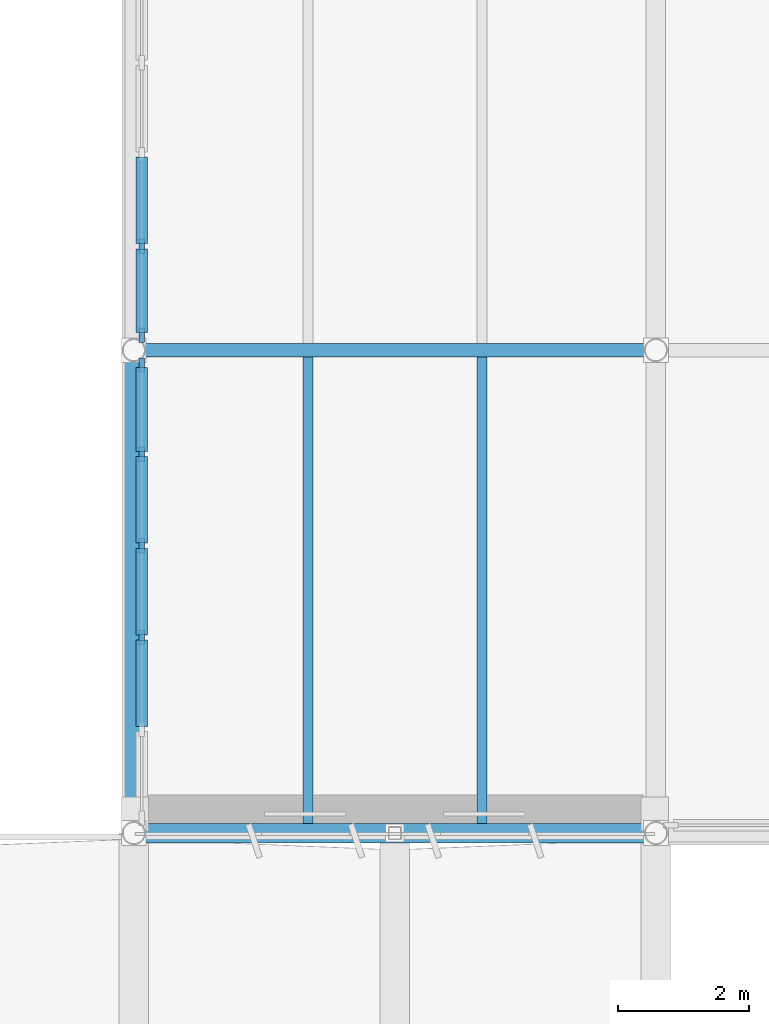
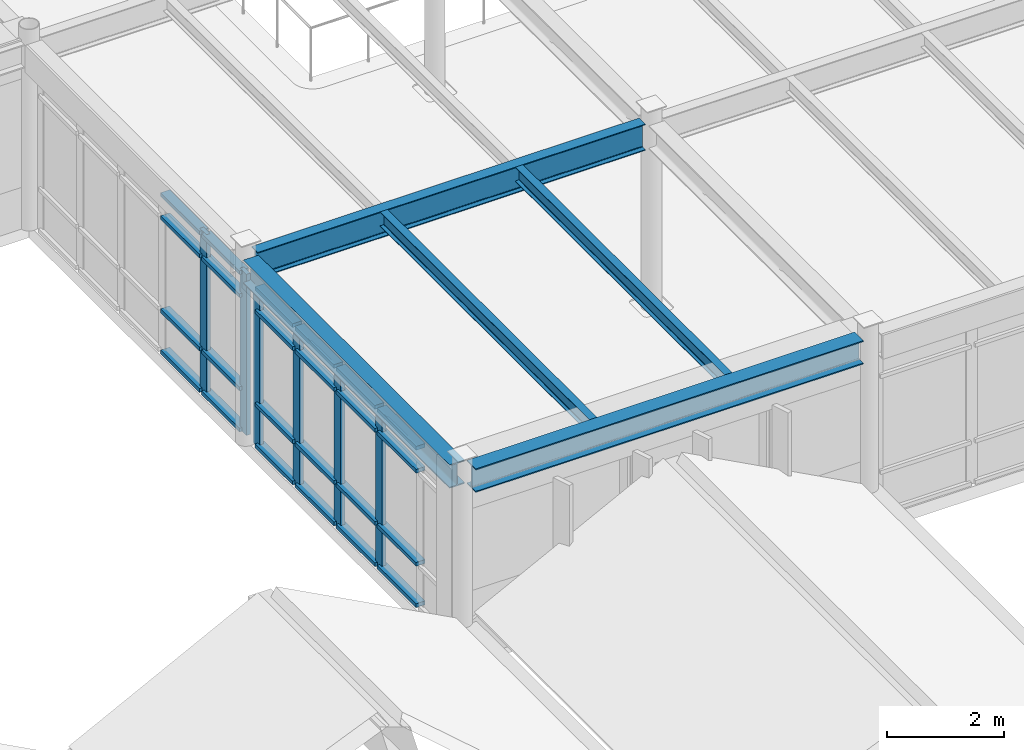
# One storey, part 15 of 63: 30 members, 5 beams, 2 elements without a shape of their own.
"""IFC4 building model written with IfcOpenShell, lengths in metres."""

from ifc_helpers import new_model, si_unit, direction, frame, origin, origin_2d, place, context, subcontext, project, spatial, rectangle, i_section, extrude, material, layer, layer_set, material_profile, profile_set, type_object, element, aggregate, save


model = new_model("IFC4")

# Units and contexts
model_context = context("Model", 3, precision=1e-05, world=origin(), true_north=direction((0.0, 1.0)))
body_context = subcontext(model_context, "Body", "Model", "MODEL_VIEW")
ifc_project = project(units=[si_unit("LENGTHUNIT", "METRE"), si_unit("AREAUNIT", "SQUARE_METRE"), si_unit("VOLUMEUNIT", "CUBIC_METRE"), si_unit("PLANEANGLEUNIT", "RADIAN"), si_unit("MASSUNIT", "GRAM", prefix="KILO")], contexts=[model_context])

# Site, building, storey
site_placement = place(None, origin())
site = spatial("IfcSite", under=ifc_project, at=site_placement, CompositionType="ELEMENT")
building_placement = place(site_placement, origin())
building = spatial("IfcBuilding", under=site, at=building_placement, Name="Valkorina Park Police Headquarters", CompositionType="ELEMENT")
storey_placement = place(building_placement, frame((0.0, 0.0, 9.89990234375)))
storey = spatial("IfcBuildingStorey", under=building, at=storey_placement, Name="L03", CompositionType="ELEMENT", Elevation=9.89990234375)

# Beams
ifc_material_1 = material(Name="Steel S355", Category="steel")
ifc_material_profile_1 = material_profile(ifc_material_1, i_section(OverallWidth=0.300048828125, OverallDepth=0.489990234375, WebThickness=0.011962890625, FlangeThickness=0.02294921875, FilletRadius=0.027099609375, at=origin_2d()), Name="HEA 500")
ifc_profile_set_1 = profile_set([ifc_material_profile_1], Name="Steel S355")
beam_type_1 = type_object("IfcBeamType", Name="BM-S355-HEA500-SPN", PredefinedType="SPANDREL", material=ifc_profile_set_1)
beam_1_placement = place(storey_placement, frame((56.977783203125, 22.199951171875, 3.675048828125), z_axis=(1.0, 0.0, 0.0), x_axis=(0.0, 1.0, 0.0)))
element("IfcBeam", 1, at=beam_1_placement, inside=storey, type_object=beam_type_1, Name="L03 Framing Beam 1843", PredefinedType="SPANDREL", context=body_context, shape_type="SweptSolid", body=[
    extrude(i_section(OverallWidth=0.300048828125, OverallDepth=0.489990234375, WebThickness=0.011962890625, FlangeThickness=0.02294921875, FilletRadius=0.027099609375, at=origin_2d()), origin(), (0.0, 0.0, 1.0), 7.64453125),
])
beam_2_placement = place(storey_placement, frame((56.800048828125, 22.377685546875, 3.675048828125), z_axis=(0.0, 1.0, 0.0), x_axis=(-1.0, 0.0, 0.0)))
element("IfcBeam", 2, at=beam_2_placement, inside=storey, type_object=beam_type_1, Name="L03 Framing Beam 1993", PredefinedType="SPANDREL", context=body_context, shape_type="SweptSolid", body=[
    extrude(i_section(OverallWidth=0.300048828125, OverallDepth=0.489990234375, WebThickness=0.011962890625, FlangeThickness=0.02294921875, FilletRadius=0.027099609375, at=origin_2d()), origin(), (0.0, 0.0, 1.0), 7.04443359375),
])
ifc_material_profile_2 = material_profile(ifc_material_1, i_section(OverallWidth=0.14990234375, OverallDepth=0.300048828125, WebThickness=0.007080078125, FlangeThickness=0.0107421875, FilletRadius=0.014892578125, at=origin_2d()), Name="IPE 300")
ifc_profile_set_2 = profile_set([ifc_material_profile_2], Name="Steel S355")
beam_type_2 = type_object("IfcBeamType", Name="BM-S355-IPE300-JST", PredefinedType="JOIST", material=ifc_profile_set_2)
for number, where, z_axis, x_axis, name in (
    (3, (59.466796875, 22.35009765625, 3.77001953125), (0.0, 1.0, 0.0), (-1.0, 0.0, 0.0), "L03 Framing Beam 1994"),
    (4, (62.13330078125, 22.35009765625, 3.77001953125), (0.0, 1.0, 0.0), (-1.0, 0.0, 0.0), "L03 Framing Beam 1995"),
):
    element("IfcBeam", number, at=place(storey_placement, frame(where, z_axis=z_axis, x_axis=x_axis)), inside=storey, type_object=beam_type_2, Name=name, PredefinedType="JOIST", context=body_context, shape_type="SweptSolid", body=[
        extrude(i_section(OverallWidth=0.14990234375, OverallDepth=0.300048828125, WebThickness=0.007080078125, FlangeThickness=0.0107421875, FilletRadius=0.014892578125, at=origin_2d()), origin(), (0.0, 0.0, 1.0), 7.14501953125),
    ])
ifc_material_profile_3 = material_profile(ifc_material_1, i_section(OverallWidth=0.2099609375, OverallDepth=0.550048828125, WebThickness=0.010986328125, FlangeThickness=0.01708984375, FilletRadius=0.02392578125, at=origin_2d()), Name="IPE 550")
ifc_profile_set_3 = profile_set([ifc_material_profile_3], Name="Steel S355")
beam_type_3 = type_object("IfcBeamType", Name="BM-S355-IPE550-BM", PredefinedType="BEAM", material=ifc_profile_set_3)
beam_3_placement = place(storey_placement, frame((56.977783203125, 29.60009765625, 3.64501953125), z_axis=(1.0, 0.0, 0.0), x_axis=(0.0, 1.0, 0.0)))
element("IfcBeam", 5, at=beam_3_placement, inside=storey, type_object=beam_type_3, Name="L03 Framing Beam 1846", PredefinedType="BEAM", context=body_context, shape_type="SweptSolid", body=[
    extrude(i_section(OverallWidth=0.2099609375, OverallDepth=0.550048828125, WebThickness=0.010986328125, FlangeThickness=0.01708984375, FilletRadius=0.02392578125, at=origin_2d()), origin(), (0.0, 0.0, 1.0), 7.64453125),
])

# Curtain wall, members
ifc_material_2 = material(Name="Thermally broken aluminium AW-6060", Category="aluminium")
ifc_layer = layer(ifc_material_2, 0.18994140625)
ifc_layer_set = layer_set([ifc_layer], Name="Thermally broken aluminium AW-6060")
curtain_wall_type = type_object("IfcCurtainWallType", Name="CW-V4-7020x3360", PredefinedType="NOTDEFINED", material=ifc_layer_set)
curtain_wall_1_placement = place(storey_placement, origin())
curtain_wall_1 = element("IfcCurtainWall", 6, at=curtain_wall_1_placement, inside=storey, type_object=curtain_wall_type, Name="L03 Unitised Curtain Wall 028", PredefinedType="NOTDEFINED")
ifc_material_profile_4 = material_profile(ifc_material_2, rectangle(XDim=0.080078125, YDim=0.219970703125, at=origin_2d()), Name="CWM-03 80x220")
ifc_profile_set_4 = profile_set([ifc_material_profile_4], Name="Thermally broken aluminium AW-6060")
member_type_1 = type_object("IfcMemberType", Name="CWM-80x220", PredefinedType="MULLION", material=ifc_profile_set_4)
member_1_placement = place(storey_placement, frame((56.919921875, 25.197509765625, 0.0), z_axis=(0.0, 0.0, 1.0), x_axis=(-1.0, 0.0, 0.0)))
member_1 = element("IfcMember", 7, at=member_1_placement, type_object=member_type_1, Name="CW-V4-702-336 mullion 3", PredefinedType="MULLION", context=body_context, shape_type="SweptSolid", body=[
    extrude(rectangle(XDim=0.080078125, YDim=0.219970703125, at=origin_2d()), origin(), (0.0, 0.0, 1.0), 3.360107421875),
])
member_2_placement = place(storey_placement, frame((56.919921875, 26.6025390625, 0.0), z_axis=(0.0, 0.0, 1.0), x_axis=(-1.0, 0.0, 0.0)))
member_2 = element("IfcMember", 8, at=member_2_placement, type_object=member_type_1, Name="CW-V4-702-336 mullion 4", PredefinedType="MULLION", context=body_context, shape_type="SweptSolid", body=[
    extrude(rectangle(XDim=0.080078125, YDim=0.219970703125, at=origin_2d()), origin(), (0.0, 0.0, 1.0), 3.360107421875),
])
member_3_placement = place(storey_placement, frame((56.919921875, 28.00732421875, 0.0), z_axis=(0.0, 0.0, 1.0), x_axis=(-1.0, 0.0, 0.0)))
member_3 = element("IfcMember", 9, at=member_3_placement, type_object=member_type_1, Name="CW-V4-702-336 mullion 5", PredefinedType="MULLION", context=body_context, shape_type="SweptSolid", body=[
    extrude(rectangle(XDim=0.080078125, YDim=0.219970703125, at=origin_2d()), origin(), (0.0, 0.0, 1.0), 3.360107421875),
])
member_4_placement = place(storey_placement, frame((56.919921875, 29.372314453125, 0.0), z_axis=(0.0, 0.0, 1.0), x_axis=(-1.0, 0.0, 0.0)))
member_4 = element("IfcMember", 10, at=member_4_placement, type_object=member_type_1, Name="CW-V4-702-336 mullion 6", PredefinedType="MULLION", context=body_context, shape_type="SweptSolid", body=[
    extrude(rectangle(XDim=0.080078125, YDim=0.219970703125, at=origin_2d()), origin(), (0.0, 0.0, 1.0), 3.360107421875),
])

curtain_wall_2_placement = place(storey_placement, origin())
curtain_wall_2 = element("IfcCurtainWall", 11, at=curtain_wall_2_placement, inside=storey, type_object=curtain_wall_type, Name="L03 Unitised Curtain Wall 029", PredefinedType="NOTDEFINED")
member_5_placement = place(storey_placement, frame((56.919921875, 29.827880859375, 0.0), z_axis=(0.0, 0.0, 1.0), x_axis=(-1.0, 0.0, 0.0)))
member_5 = element("IfcMember", 12, at=member_5_placement, type_object=member_type_1, Name="CW-V4-702-336 mullion 1", PredefinedType="MULLION", context=body_context, shape_type="SweptSolid", body=[
    extrude(rectangle(XDim=0.080078125, YDim=0.219970703125, at=origin_2d()), origin(), (0.0, 0.0, 1.0), 3.360107421875),
])
member_6_placement = place(storey_placement, frame((56.919921875, 31.192626953125, 0.0), z_axis=(0.0, 0.0, 1.0), x_axis=(-1.0, 0.0, 0.0)))
member_6 = element("IfcMember", 13, at=member_6_placement, type_object=member_type_1, Name="CW-V4-702-336 mullion 2", PredefinedType="MULLION", context=body_context, shape_type="SweptSolid", body=[
    extrude(rectangle(XDim=0.080078125, YDim=0.219970703125, at=origin_2d()), origin(), (0.0, 0.0, 1.0), 3.360107421875),
])

# Member
ifc_material_profile_5 = material_profile(ifc_material_2, rectangle(XDim=0.179931640625, YDim=0.080078125, at=origin_2d()), Name="CWT-03 180x80")
ifc_profile_set_5 = profile_set([ifc_material_profile_5], Name="Thermally broken aluminium AW-6060")
member_type_2 = type_object("IfcMemberType", Name="CWT-180x80", PredefinedType="USERDEFINED", material=ifc_profile_set_5)
member_7_placement = place(storey_placement, frame((56.919921875, 23.832763671875, 0.0400390625), z_axis=(0.0, 1.0, 0.0), x_axis=(-1.0, 0.0, 0.0)))
member_7 = element("IfcMember", 14, at=member_7_placement, type_object=member_type_2, Name="CW-V4-702-336 transom 2.1", ObjectType="TRANSOM", PredefinedType="USERDEFINED", context=body_context, shape_type="SweptSolid", body=[
    extrude(rectangle(XDim=0.179931640625, YDim=0.080078125, at=origin_2d()), origin(), (0.0, 0.0, 1.0), 1.32470703125),
])

member_8_placement = place(storey_placement, frame((56.919921875, 23.832763671875, 0.900146484375), z_axis=(0.0, 1.0, 0.0), x_axis=(-1.0, 0.0, 0.0)))
member_8 = element("IfcMember", 15, at=member_8_placement, type_object=member_type_2, Name="CW-V4-702-336 transom 2.2", ObjectType="TRANSOM", PredefinedType="USERDEFINED", context=body_context, shape_type="SweptSolid", body=[
    extrude(rectangle(XDim=0.179931640625, YDim=0.080078125, at=origin_2d()), origin(), (0.0, 0.0, 1.0), 1.32470703125),
])

member_9_placement = place(storey_placement, frame((56.919921875, 23.832763671875, 2.840087890625), z_axis=(0.0, 1.0, 0.0), x_axis=(-1.0, 0.0, 0.0)))
member_9 = element("IfcMember", 16, at=member_9_placement, type_object=member_type_2, Name="CW-V4-702-336 transom 2.3", ObjectType="TRANSOM", PredefinedType="USERDEFINED", context=body_context, shape_type="SweptSolid", body=[
    extrude(rectangle(XDim=0.179931640625, YDim=0.080078125, at=origin_2d()), origin(), (0.0, 0.0, 1.0), 1.32470703125),
])

member_10_placement = place(storey_placement, frame((56.919921875, 23.832763671875, 3.320068359375), z_axis=(0.0, 1.0, 0.0), x_axis=(-1.0, 0.0, 0.0)))
member_10 = element("IfcMember", 17, at=member_10_placement, type_object=member_type_2, Name="CW-V4-702-336 transom 2.4", ObjectType="TRANSOM", PredefinedType="USERDEFINED", context=body_context, shape_type="SweptSolid", body=[
    extrude(rectangle(XDim=0.179931640625, YDim=0.080078125, at=origin_2d()), origin(), (0.0, 0.0, 1.0), 1.32470703125),
])

member_11_placement = place(storey_placement, frame((56.919921875, 25.237548828125, 0.0400390625), z_axis=(0.0, 1.0, 0.0), x_axis=(-1.0, 0.0, 0.0)))
member_11 = element("IfcMember", 18, at=member_11_placement, type_object=member_type_2, Name="CW-V4-702-336 transom 3.1", ObjectType="TRANSOM", PredefinedType="USERDEFINED", context=body_context, shape_type="SweptSolid", body=[
    extrude(rectangle(XDim=0.179931640625, YDim=0.080078125, at=origin_2d()), origin(), (0.0, 0.0, 1.0), 1.324951171875),
])

member_12_placement = place(storey_placement, frame((56.919921875, 25.237548828125, 0.900146484375), z_axis=(0.0, 1.0, 0.0), x_axis=(-1.0, 0.0, 0.0)))
member_12 = element("IfcMember", 19, at=member_12_placement, type_object=member_type_2, Name="CW-V4-702-336 transom 3.2", ObjectType="TRANSOM", PredefinedType="USERDEFINED", context=body_context, shape_type="SweptSolid", body=[
    extrude(rectangle(XDim=0.179931640625, YDim=0.080078125, at=origin_2d()), origin(), (0.0, 0.0, 1.0), 1.324951171875),
])

member_13_placement = place(storey_placement, frame((56.919921875, 25.237548828125, 2.840087890625), z_axis=(0.0, 1.0, 0.0), x_axis=(-1.0, 0.0, 0.0)))
member_13 = element("IfcMember", 20, at=member_13_placement, type_object=member_type_2, Name="CW-V4-702-336 transom 3.3", ObjectType="TRANSOM", PredefinedType="USERDEFINED", context=body_context, shape_type="SweptSolid", body=[
    extrude(rectangle(XDim=0.179931640625, YDim=0.080078125, at=origin_2d()), origin(), (0.0, 0.0, 1.0), 1.324951171875),
])

member_14_placement = place(storey_placement, frame((56.919921875, 25.237548828125, 3.320068359375), z_axis=(0.0, 1.0, 0.0), x_axis=(-1.0, 0.0, 0.0)))
member_14 = element("IfcMember", 21, at=member_14_placement, type_object=member_type_2, Name="CW-V4-702-336 transom 3.4", ObjectType="TRANSOM", PredefinedType="USERDEFINED", context=body_context, shape_type="SweptSolid", body=[
    extrude(rectangle(XDim=0.179931640625, YDim=0.080078125, at=origin_2d()), origin(), (0.0, 0.0, 1.0), 1.324951171875),
])

member_15_placement = place(storey_placement, frame((56.919921875, 26.642333984375, 0.0400390625), z_axis=(0.0, 1.0, 0.0), x_axis=(-1.0, 0.0, 0.0)))
member_15 = element("IfcMember", 22, at=member_15_placement, type_object=member_type_2, Name="CW-V4-702-336 transom 4.1", ObjectType="TRANSOM", PredefinedType="USERDEFINED", context=body_context, shape_type="SweptSolid", body=[
    extrude(rectangle(XDim=0.179931640625, YDim=0.080078125, at=origin_2d()), origin(), (0.0, 0.0, 1.0), 1.324951171875),
])

member_16_placement = place(storey_placement, frame((56.919921875, 26.642333984375, 0.900146484375), z_axis=(0.0, 1.0, 0.0), x_axis=(-1.0, 0.0, 0.0)))
member_16 = element("IfcMember", 23, at=member_16_placement, type_object=member_type_2, Name="CW-V4-702-336 transom 4.2", ObjectType="TRANSOM", PredefinedType="USERDEFINED", context=body_context, shape_type="SweptSolid", body=[
    extrude(rectangle(XDim=0.179931640625, YDim=0.080078125, at=origin_2d()), origin(), (0.0, 0.0, 1.0), 1.324951171875),
])

member_17_placement = place(storey_placement, frame((56.919921875, 26.642333984375, 2.840087890625), z_axis=(0.0, 1.0, 0.0), x_axis=(-1.0, 0.0, 0.0)))
member_17 = element("IfcMember", 24, at=member_17_placement, type_object=member_type_2, Name="CW-V4-702-336 transom 4.3", ObjectType="TRANSOM", PredefinedType="USERDEFINED", context=body_context, shape_type="SweptSolid", body=[
    extrude(rectangle(XDim=0.179931640625, YDim=0.080078125, at=origin_2d()), origin(), (0.0, 0.0, 1.0), 1.324951171875),
])

member_18_placement = place(storey_placement, frame((56.919921875, 26.642333984375, 3.320068359375), z_axis=(0.0, 1.0, 0.0), x_axis=(-1.0, 0.0, 0.0)))
member_18 = element("IfcMember", 25, at=member_18_placement, type_object=member_type_2, Name="CW-V4-702-336 transom 4.4", ObjectType="TRANSOM", PredefinedType="USERDEFINED", context=body_context, shape_type="SweptSolid", body=[
    extrude(rectangle(XDim=0.179931640625, YDim=0.080078125, at=origin_2d()), origin(), (0.0, 0.0, 1.0), 1.324951171875),
])

member_19_placement = place(storey_placement, frame((56.919921875, 28.04736328125, 0.0400390625), z_axis=(0.0, 1.0, 0.0), x_axis=(-1.0, 0.0, 0.0)))
member_19 = element("IfcMember", 26, at=member_19_placement, type_object=member_type_2, Name="CW-V4-702-336 transom 5.1", ObjectType="TRANSOM", PredefinedType="USERDEFINED", context=body_context, shape_type="SweptSolid", body=[
    extrude(rectangle(XDim=0.179931640625, YDim=0.080078125, at=origin_2d()), origin(), (0.0, 0.0, 1.0), 1.284912109375),
])

member_20_placement = place(storey_placement, frame((56.919921875, 28.04736328125, 0.900146484375), z_axis=(0.0, 1.0, 0.0), x_axis=(-1.0, 0.0, 0.0)))
member_20 = element("IfcMember", 27, at=member_20_placement, type_object=member_type_2, Name="CW-V4-702-336 transom 5.2", ObjectType="TRANSOM", PredefinedType="USERDEFINED", context=body_context, shape_type="SweptSolid", body=[
    extrude(rectangle(XDim=0.179931640625, YDim=0.080078125, at=origin_2d()), origin(), (0.0, 0.0, 1.0), 1.284912109375),
])

member_21_placement = place(storey_placement, frame((56.919921875, 28.04736328125, 2.840087890625), z_axis=(0.0, 1.0, 0.0), x_axis=(-1.0, 0.0, 0.0)))
member_21 = element("IfcMember", 28, at=member_21_placement, type_object=member_type_2, Name="CW-V4-702-336 transom 5.3", ObjectType="TRANSOM", PredefinedType="USERDEFINED", context=body_context, shape_type="SweptSolid", body=[
    extrude(rectangle(XDim=0.179931640625, YDim=0.080078125, at=origin_2d()), origin(), (0.0, 0.0, 1.0), 1.284912109375),
])

member_22_placement = place(storey_placement, frame((56.919921875, 28.04736328125, 3.320068359375), z_axis=(0.0, 1.0, 0.0), x_axis=(-1.0, 0.0, 0.0)))
member_22 = element("IfcMember", 29, at=member_22_placement, type_object=member_type_2, Name="CW-V4-702-336 transom 5.4", ObjectType="TRANSOM", PredefinedType="USERDEFINED", context=body_context, shape_type="SweptSolid", body=[
    extrude(rectangle(XDim=0.179931640625, YDim=0.080078125, at=origin_2d()), origin(), (0.0, 0.0, 1.0), 1.284912109375),
])

aggregate(curtain_wall_1, [member_1, member_2, member_3, member_4, member_7, member_8, member_9, member_10, member_11, member_12, member_13, member_14, member_15, member_16, member_17, member_18, member_19, member_20, member_21, member_22])

member_23_placement = place(storey_placement, frame((56.919921875, 29.867919921875, 0.0400390625), z_axis=(0.0, 1.0, 0.0), x_axis=(-1.0, 0.0, 0.0)))
member_23 = element("IfcMember", 30, at=member_23_placement, type_object=member_type_2, Name="CW-V4-702-336 transom 1.1", ObjectType="TRANSOM", PredefinedType="USERDEFINED", context=body_context, shape_type="SweptSolid", body=[
    extrude(rectangle(XDim=0.179931640625, YDim=0.080078125, at=origin_2d()), origin(), (0.0, 0.0, 1.0), 1.28466796875),
])

member_24_placement = place(storey_placement, frame((56.919921875, 29.867919921875, 0.900146484375), z_axis=(0.0, 1.0, 0.0), x_axis=(-1.0, 0.0, 0.0)))
member_24 = element("IfcMember", 31, at=member_24_placement, type_object=member_type_2, Name="CW-V4-702-336 transom 1.2", ObjectType="TRANSOM", PredefinedType="USERDEFINED", context=body_context, shape_type="SweptSolid", body=[
    extrude(rectangle(XDim=0.179931640625, YDim=0.080078125, at=origin_2d()), origin(), (0.0, 0.0, 1.0), 1.28466796875),
])

member_25_placement = place(storey_placement, frame((56.919921875, 29.867919921875, 2.840087890625), z_axis=(0.0, 1.0, 0.0), x_axis=(-1.0, 0.0, 0.0)))
member_25 = element("IfcMember", 32, at=member_25_placement, type_object=member_type_2, Name="CW-V4-702-336 transom 1.3", ObjectType="TRANSOM", PredefinedType="USERDEFINED", context=body_context, shape_type="SweptSolid", body=[
    extrude(rectangle(XDim=0.179931640625, YDim=0.080078125, at=origin_2d()), origin(), (0.0, 0.0, 1.0), 1.28466796875),
])

member_26_placement = place(storey_placement, frame((56.919921875, 29.867919921875, 3.320068359375), z_axis=(0.0, 1.0, 0.0), x_axis=(-1.0, 0.0, 0.0)))
member_26 = element("IfcMember", 33, at=member_26_placement, type_object=member_type_2, Name="CW-V4-702-336 transom 1.4", ObjectType="TRANSOM", PredefinedType="USERDEFINED", context=body_context, shape_type="SweptSolid", body=[
    extrude(rectangle(XDim=0.179931640625, YDim=0.080078125, at=origin_2d()), origin(), (0.0, 0.0, 1.0), 1.28466796875),
])

member_27_placement = place(storey_placement, frame((56.919921875, 31.232666015625, 0.0400390625), z_axis=(0.0, 1.0, 0.0), x_axis=(-1.0, 0.0, 0.0)))
member_27 = element("IfcMember", 34, at=member_27_placement, type_object=member_type_2, Name="CW-V4-702-336 transom 2.1", ObjectType="TRANSOM", PredefinedType="USERDEFINED", context=body_context, shape_type="SweptSolid", body=[
    extrude(rectangle(XDim=0.179931640625, YDim=0.080078125, at=origin_2d()), origin(), (0.0, 0.0, 1.0), 1.324951171875),
])

member_28_placement = place(storey_placement, frame((56.919921875, 31.232666015625, 0.900146484375), z_axis=(0.0, 1.0, 0.0), x_axis=(-1.0, 0.0, 0.0)))
member_28 = element("IfcMember", 35, at=member_28_placement, type_object=member_type_2, Name="CW-V4-702-336 transom 2.2", ObjectType="TRANSOM", PredefinedType="USERDEFINED", context=body_context, shape_type="SweptSolid", body=[
    extrude(rectangle(XDim=0.179931640625, YDim=0.080078125, at=origin_2d()), origin(), (0.0, 0.0, 1.0), 1.324951171875),
])

member_29_placement = place(storey_placement, frame((56.919921875, 31.232666015625, 2.840087890625), z_axis=(0.0, 1.0, 0.0), x_axis=(-1.0, 0.0, 0.0)))
member_29 = element("IfcMember", 36, at=member_29_placement, type_object=member_type_2, Name="CW-V4-702-336 transom 2.3", ObjectType="TRANSOM", PredefinedType="USERDEFINED", context=body_context, shape_type="SweptSolid", body=[
    extrude(rectangle(XDim=0.179931640625, YDim=0.080078125, at=origin_2d()), origin(), (0.0, 0.0, 1.0), 1.324951171875),
])

member_30_placement = place(storey_placement, frame((56.919921875, 31.232666015625, 3.320068359375), z_axis=(0.0, 1.0, 0.0), x_axis=(-1.0, 0.0, 0.0)))
member_30 = element("IfcMember", 37, at=member_30_placement, type_object=member_type_2, Name="CW-V4-702-336 transom 2.4", ObjectType="TRANSOM", PredefinedType="USERDEFINED", context=body_context, shape_type="SweptSolid", body=[
    extrude(rectangle(XDim=0.179931640625, YDim=0.080078125, at=origin_2d()), origin(), (0.0, 0.0, 1.0), 1.324951171875),
])

aggregate(curtain_wall_2, [member_5, member_6, member_23, member_24, member_25, member_26, member_27, member_28, member_29, member_30])

save(model, "model.ifc")
